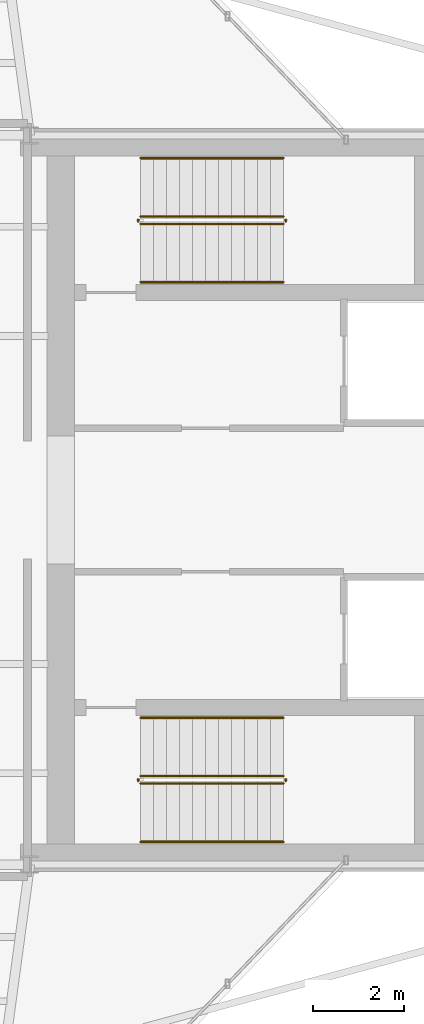
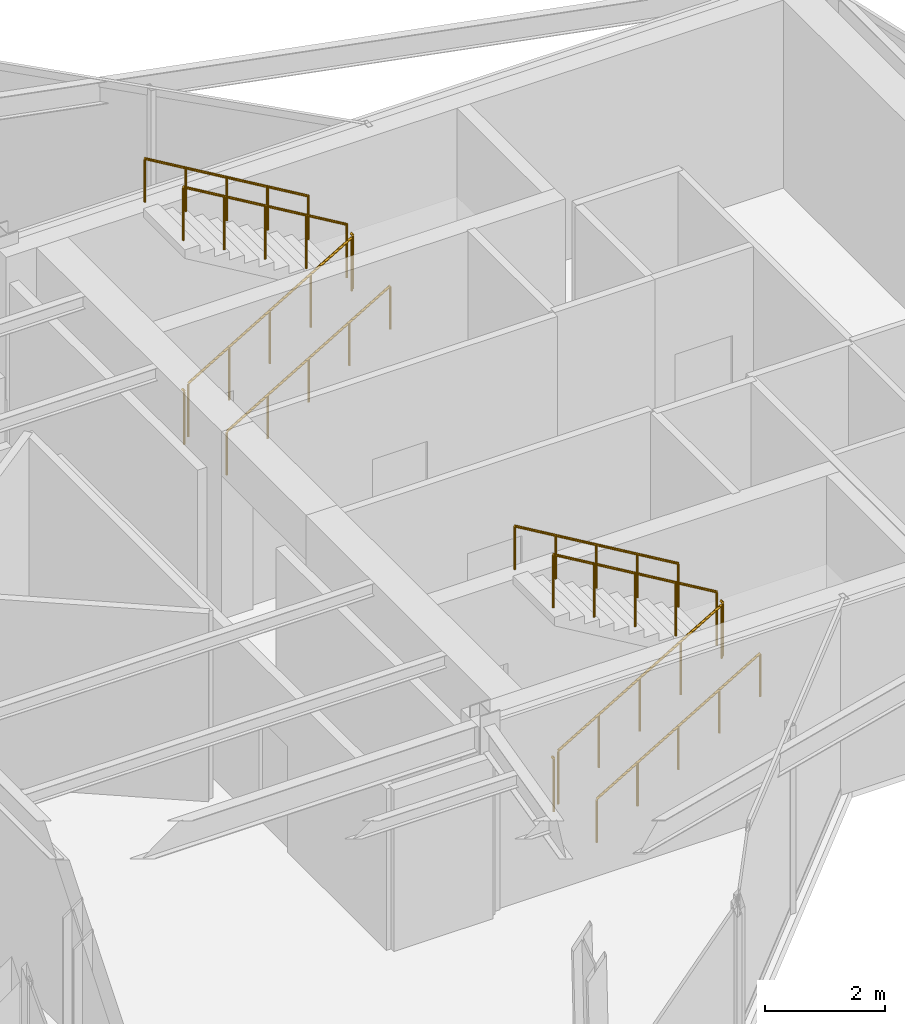
# One storey, part 14 of 14: 12 railings.
"""IFC4 building model written with IfcOpenShell, lengths in metres."""

import ifcopenshell
import ifcopenshell.guid

model = None  # the IFC model being written
_history = None  # IfcOwnerHistory: only IFC2X3 demands one
_inside = {}  # id of a spatial element -> (the spatial element, [elements in it])
_under = {}  # id of a project, library or spatial element -> (it, [spatial elements below it])
_declared = {}  # id of a project -> (the project, [libraries it declares])
_typed = {}  # id of a type object -> (the type object, [elements of that type])
_made_of = {}  # id of a material, layer set ... -> (it, [elements and type objects made of it])


def new_model(schema):
    """Start an empty IFC model of exactly this schema.

    Asked for "IFC4X3", IfcOpenShell would pick the latest addendum, in which some entities
    have other attributes; the version numbers below select the first issue.
    IFC2X3 requires an IfcOwnerHistory on every rooted entity: one is made here for all.
    """
    global model, _history
    if schema == "IFC4X3":
        model = ifcopenshell.file(schema_version=(4, 3, 0, 0))
    else:
        model = ifcopenshell.file(schema=schema)
    _inside.clear()
    _under.clear()
    _declared.clear()
    _typed.clear()
    _made_of.clear()
    _history = None
    if model.schema == "IFC2X3":
        org = make("IfcOrganization", Name="unknown")
        user = make(
            "IfcPersonAndOrganization",
            ThePerson=make("IfcPerson", FamilyName="unknown"),
            TheOrganization=org,
        )
        app = make(
            "IfcApplication",
            ApplicationDeveloper=org,
            Version="unknown",
            ApplicationFullName="unknown",
            ApplicationIdentifier="unknown",
        )
        _history = make(
            "IfcOwnerHistory",
            OwningUser=user,
            OwningApplication=app,
            ChangeAction="ADDED",
            CreationDate=0,
        )
    return model


def make(cls, **values):
    """One entity of the class cls with the attributes given. An attribute that is None is left unset."""
    return model.create_entity(
        cls, **{name: value for name, value in values.items() if value is not None}
    )


def rooted(cls, **values):
    """An entity with a GlobalId (a new one), such as an element, a storey or a relation."""
    return make(cls, GlobalId=ifcopenshell.guid.new(), OwnerHistory=_history, **values)


def si_unit(unit_type, name, prefix=None):
    """IfcSIUnit, for example si_unit("LENGTHUNIT", "METRE", prefix="MILLI")."""
    return make("IfcSIUnit", UnitType=unit_type, Prefix=prefix, Name=name)


def assignment(units):
    """IfcUnitAssignment: the units of a project."""
    return None if units is None else make("IfcUnitAssignment", Units=units)


def point(xyz):
    """IfcCartesianPoint."""
    return None if xyz is None else make("IfcCartesianPoint", Coordinates=xyz)


def direction(xyz):
    """IfcDirection."""
    return None if xyz is None else make("IfcDirection", DirectionRatios=xyz)


def frame(location, z_axis=None, x_axis=None):
    """IfcAxis2Placement3D, a coordinate frame: its origin and axes. An axis left out is left unset."""
    return make(
        "IfcAxis2Placement3D",
        Location=point(location),
        Axis=direction(z_axis),
        RefDirection=direction(x_axis),
    )


def frame_2d(location, x_axis=None):
    """IfcAxis2Placement2D, a coordinate frame in the plane: its origin and x axis."""
    return make(
        "IfcAxis2Placement2D", Location=point(location), RefDirection=direction(x_axis)
    )


def origin():
    """The frame at (0, 0, 0) with its axes left unset."""
    return frame((0.0, 0.0, 0.0))


def origin_2d():
    """The frame at (0, 0) in the plane with its x axis left unset."""
    return frame_2d((0.0, 0.0))


def place(relative_to, where):
    """IfcLocalPlacement: puts the frame where relative to a parent placement (None: the world)."""
    return make(
        "IfcLocalPlacement", PlacementRelTo=relative_to, RelativePlacement=where
    )


def context(
    kind, dimensions, precision=None, world=None, true_north=None, identifier=None
):
    """IfcGeometricRepresentationContext, for example the 3D "Model" context."""
    return make(
        "IfcGeometricRepresentationContext",
        ContextIdentifier=identifier,
        ContextType=kind,
        CoordinateSpaceDimension=dimensions,
        Precision=precision,
        WorldCoordinateSystem=world,
        TrueNorth=true_north,
    )


def subcontext(parent, identifier, kind, view, scale=None):
    """IfcGeometricRepresentationSubContext, for example "Body" below "Model"."""
    return make(
        "IfcGeometricRepresentationSubContext",
        ContextIdentifier=identifier,
        ContextType=kind,
        ParentContext=parent,
        TargetScale=scale,
        TargetView=view,
    )


def project(units=None, contexts=None):
    """IfcProject with its units and contexts."""
    return rooted(
        "IfcProject",
        Name="project",
        RepresentationContexts=contexts,
        UnitsInContext=assignment(units),
    )


def spatial(cls, under=None, at=None, **own):
    """A site, building, storey or space (cls), placed at a placement, below another one or the project."""
    s = rooted(cls, ObjectPlacement=at, **own)
    if under is not None:
        _under.setdefault(under.id(), (under, []))[1].append(s)
    return s


def profile(cls, at=None, kind="AREA", **sizes):
    """A parametric profile (cls). Its sizes go by their IFC names, for example OverallWidth=200.0."""
    return make(cls, ProfileType=kind, Position=at, **sizes)


def circle(**sizes):
    """IfcCircleProfileDef."""
    return profile("IfcCircleProfileDef", **sizes)


def extrude(swept, where, along, depth):
    """IfcExtrudedAreaSolid: the profile swept, set in the frame where, extruded along a direction by depth."""
    return make(
        "IfcExtrudedAreaSolid",
        SweptArea=swept,
        Position=where,
        ExtrudedDirection=direction(along),
        Depth=depth,
    )


def shape(context_of_items, identifier, shape_type, items):
    """IfcShapeRepresentation: the items that make up one representation, for example the "Body"."""
    return make(
        "IfcShapeRepresentation",
        ContextOfItems=context_of_items,
        RepresentationIdentifier=identifier,
        RepresentationType=shape_type,
        Items=items,
    )


def material(Name=None, Category=None):
    """IfcMaterial."""
    return make("IfcMaterial", Name=Name, Category=Category)


def made_of(thing, what):
    """Note that an element or type object is made of a material, layer set ...; save() writes the relation."""
    if what is not None:
        _made_of.setdefault(what.id(), (what, []))[1].append(thing)
    return thing


def type_object(cls, material=None, **own):
    """A type object (cls), such as IfcWallType, which elements share."""
    return made_of(rooted(cls, **own), material)


def element(
    cls,
    number,
    at=None,
    inside=None,
    cuts=None,
    type_object=None,
    material=None,
    context=None,
    identifier="Body",
    shape_type=None,
    held_by="IfcProductDefinitionShape",
    body=None,
    shapes=None,
    **own,
):
    """One element of the class cls, such as IfcWall. Its Tag is "e" and its number.

    at: its placement. inside: the storey or other place that contains it. cuts: it is an
    opening in that element (IfcRelVoidsElement). A single representation is given by context,
    identifier, shape_type and body (its items); several are given by shapes. held_by: the class
    of the entity that holds the representations. save() writes the other relations.
    """
    e = rooted(cls, Tag="e%d" % number, ObjectPlacement=at, **own)
    if body is not None:
        shapes = [shape(context, identifier, shape_type, body)]
    if shapes is not None:
        e.Representation = make(held_by, Representations=shapes)
    if inside is not None:
        _inside.setdefault(inside.id(), (inside, []))[1].append(e)
    if cuts is not None:
        rooted(
            "IfcRelVoidsElement", RelatingBuildingElement=cuts, RelatedOpeningElement=e
        )
    if type_object is not None:
        _typed.setdefault(type_object.id(), (type_object, []))[1].append(e)
    return made_of(e, material)


def aggregate(whole, parts):
    """IfcRelAggregates: a whole, such as a stair, and the parts it consists of."""
    return rooted("IfcRelAggregates", RelatingObject=whole, RelatedObjects=parts)


def save(model, path):
    """Write the relations noted so far, then the file.

    IfcRelAggregates (storeys below a building ...), IfcRelContainedInSpatialStructure (elements
    in a storey), IfcRelDefinesByType, IfcRelAssociatesMaterial and IfcRelDeclares: one each for
    every whole, place, type object, material and project.
    """
    for whole, parts in _under.values():
        aggregate(whole, parts)
    for where, things in _inside.values():
        rooted(
            "IfcRelContainedInSpatialStructure",
            RelatedElements=things,
            RelatingStructure=where,
        )
    for kind, things in _typed.values():
        rooted("IfcRelDefinesByType", RelatedObjects=things, RelatingType=kind)
    for what, things in _made_of.values():
        rooted("IfcRelAssociatesMaterial", RelatedObjects=things, RelatingMaterial=what)
    for by, libraries in _declared.values():
        rooted("IfcRelDeclares", RelatingContext=by, RelatedDefinitions=libraries)
    model.write(path)


model = new_model("IFC4")

# Units and contexts
model_context = context("Model", 3, precision=1e-05, world=origin(), true_north=direction((0.0, 1.0)))
body_context = subcontext(model_context, "Body", "Model", "MODEL_VIEW")
ifc_project = project(units=[si_unit("LENGTHUNIT", "METRE"), si_unit("AREAUNIT", "SQUARE_METRE"), si_unit("VOLUMEUNIT", "CUBIC_METRE"), si_unit("PLANEANGLEUNIT", "RADIAN"), si_unit("MASSUNIT", "GRAM", prefix="KILO")], contexts=[model_context])

# Site, building, storey
site_placement = place(None, origin())
site = spatial("IfcSite", under=ifc_project, at=site_placement, CompositionType="ELEMENT")
building_placement = place(site_placement, origin())
building = spatial("IfcBuilding", under=site, at=building_placement, Name="Veymaron Broadcast Tower", CompositionType="ELEMENT")
storey_placement = place(building_placement, frame((0.0, 0.0, 299.25)))
storey = spatial("IfcBuildingStorey", under=building, at=storey_placement, Name="L70", CompositionType="ELEMENT", Elevation=299.25)

# Railings
ifc_material_1 = material(Name="Brushed stainless steel AISI 304", Category="steel")
railing_type_1 = type_object("IfcRailingType", Name="RAIL-STAIR-HR", PredefinedType="HANDRAIL", material=ifc_material_1)
railing_1_placement = place(storey_placement, frame((41.429931640625, 28.780029296875, 0.168701171875)))
element("IfcRailing", 1, at=railing_1_placement, inside=storey, type_object=railing_type_1, Name="L70 ST1 stair handrail 1", PredefinedType="HANDRAIL", context=body_context, shape_type="SweptSolid", body=[
    extrude(circle(Radius=0.02392578125, at=origin_2d()), frame((0.0, 0.0, 0.8759765625), z_axis=(0.860481960309, 0.0, 0.509480908359), x_axis=(0.0, 1.0, 0.0)), (0.0, 0.0, 1.0), 3.643310546875),
    extrude(circle(Radius=0.02099609375, at=origin_2d()), origin(), (0.0, 0.0, 1.0), 0.851806640625),
    extrude(circle(Radius=0.02099609375, at=origin_2d()), frame((0.78369140625, 0.0, 0.464111328125)), (0.0, 0.0, 1.0), 0.851806640625),
    extrude(circle(Radius=0.02099609375, at=origin_2d()), frame((1.5673828125, 0.0, 0.92822265625)), (0.0, 0.0, 1.0), 0.851806640625),
    extrude(circle(Radius=0.02099609375, at=origin_2d()), frame((2.351318359375, 0.0, 1.39208984375)), (0.0, 0.0, 1.0), 0.851806640625),
    extrude(circle(Radius=0.02099609375, at=origin_2d()), frame((3.135009765625, 0.0, 1.856201171875)), (0.0, 0.0, 1.0), 0.851806640625),
])
railing_2_placement = place(storey_placement, frame((44.56494140625, 31.5, 2.19384765625)))
element("IfcRailing", 2, at=railing_2_placement, inside=storey, type_object=railing_type_1, Name="L70 ST1 stair handrail 2", PredefinedType="HANDRAIL", context=body_context, shape_type="SweptSolid", body=[
    extrude(circle(Radius=0.02392578125, at=origin_2d()), frame((0.0, 0.0, 0.8759765625), z_axis=(-0.860481960309, 0.0, 0.509480908359), x_axis=(0.0, -1.0, 0.0)), (0.0, 0.0, 1.0), 3.643310546875),
    extrude(circle(Radius=0.02099609375, at=origin_2d()), origin(), (0.0, 0.0, 1.0), 0.851806640625),
    extrude(circle(Radius=0.02099609375, at=origin_2d()), frame((-0.78369140625, 0.0, 0.464111328125)), (0.0, 0.0, 1.0), 0.851806640625),
    extrude(circle(Radius=0.02099609375, at=origin_2d()), frame((-1.5673828125, 0.0, 0.92822265625)), (0.0, 0.0, 1.0), 0.851806640625),
    extrude(circle(Radius=0.02099609375, at=origin_2d()), frame((-2.351318359375, 0.0, 1.39208984375)), (0.0, 0.0, 1.0), 0.851806640625),
    extrude(circle(Radius=0.02099609375, at=origin_2d()), frame((-3.135009765625, 0.0, 1.856201171875)), (0.0, 0.0, 1.0), 0.851806640625),
])
railing_3_placement = place(storey_placement, frame((41.429931640625, 16.5, 0.168701171875)))
element("IfcRailing", 3, at=railing_3_placement, inside=storey, type_object=railing_type_1, Name="L70 ST2 stair handrail 1", PredefinedType="HANDRAIL", context=body_context, shape_type="SweptSolid", body=[
    extrude(circle(Radius=0.02392578125, at=origin_2d()), frame((0.0, 0.0, 0.8759765625), z_axis=(0.860481960309, 0.0, 0.509480908359), x_axis=(0.0, 1.0, 0.0)), (0.0, 0.0, 1.0), 3.643310546875),
    extrude(circle(Radius=0.02099609375, at=origin_2d()), origin(), (0.0, 0.0, 1.0), 0.851806640625),
    extrude(circle(Radius=0.02099609375, at=origin_2d()), frame((0.78369140625, 0.0, 0.464111328125)), (0.0, 0.0, 1.0), 0.851806640625),
    extrude(circle(Radius=0.02099609375, at=origin_2d()), frame((1.5673828125, 0.0, 0.92822265625)), (0.0, 0.0, 1.0), 0.851806640625),
    extrude(circle(Radius=0.02099609375, at=origin_2d()), frame((2.351318359375, 0.0, 1.39208984375)), (0.0, 0.0, 1.0), 0.851806640625),
    extrude(circle(Radius=0.02099609375, at=origin_2d()), frame((3.135009765625, 0.0, 1.856201171875)), (0.0, 0.0, 1.0), 0.851806640625),
])
railing_4_placement = place(storey_placement, frame((44.56494140625, 19.219970703125, 2.19384765625)))
element("IfcRailing", 4, at=railing_4_placement, inside=storey, type_object=railing_type_1, Name="L70 ST2 stair handrail 2", PredefinedType="HANDRAIL", context=body_context, shape_type="SweptSolid", body=[
    extrude(circle(Radius=0.02392578125, at=origin_2d()), frame((0.0, 0.0, 0.8759765625), z_axis=(-0.860481960309, 0.0, 0.509480908359), x_axis=(0.0, -1.0, 0.0)), (0.0, 0.0, 1.0), 3.643310546875),
    extrude(circle(Radius=0.02099609375, at=origin_2d()), origin(), (0.0, 0.0, 1.0), 0.851806640625),
    extrude(circle(Radius=0.02099609375, at=origin_2d()), frame((-0.78369140625, 0.0, 0.464111328125)), (0.0, 0.0, 1.0), 0.851806640625),
    extrude(circle(Radius=0.02099609375, at=origin_2d()), frame((-1.5673828125, 0.0, 0.92822265625)), (0.0, 0.0, 1.0), 0.851806640625),
    extrude(circle(Radius=0.02099609375, at=origin_2d()), frame((-2.351318359375, 0.0, 1.39208984375)), (0.0, 0.0, 1.0), 0.851806640625),
    extrude(circle(Radius=0.02099609375, at=origin_2d()), frame((-3.135009765625, 0.0, 1.856201171875)), (0.0, 0.0, 1.0), 0.851806640625),
])
ifc_material_2 = material(Name="Painted galvanized steel balustrade", Category="steel")
railing_type_2 = type_object("IfcRailingType", Name="RAIL-WELL-GRD", PredefinedType="GUARDRAIL", material=ifc_material_2)
railing_5_placement = place(storey_placement, frame((41.429931640625, 30.06005859375, 0.168701171875)))
element("IfcRailing", 5, at=railing_5_placement, inside=storey, type_object=railing_type_2, Name="L70 ST1 stair guard 1", PredefinedType="GUARDRAIL", context=body_context, shape_type="SweptSolid", body=[
    extrude(circle(Radius=0.02392578125, at=origin_2d()), frame((0.0, 0.0, 1.076171875), z_axis=(0.860481960309, 0.0, 0.509480908359), x_axis=(0.0, 1.0, 0.0)), (0.0, 0.0, 1.0), 3.643310546875),
    extrude(circle(Radius=0.02099609375, at=origin_2d()), origin(), (0.0, 0.0, 1.0), 1.052001953125),
    extrude(circle(Radius=0.02099609375, at=origin_2d()), frame((0.78369140625, 0.0, 0.464111328125)), (0.0, 0.0, 1.0), 1.052001953125),
    extrude(circle(Radius=0.02099609375, at=origin_2d()), frame((1.5673828125, 0.0, 0.92822265625)), (0.0, 0.0, 1.0), 1.052001953125),
    extrude(circle(Radius=0.02099609375, at=origin_2d()), frame((2.351318359375, 0.0, 1.39208984375)), (0.0, 0.0, 1.0), 1.052001953125),
    extrude(circle(Radius=0.02099609375, at=origin_2d()), frame((3.135009765625, 0.0, 1.856201171875)), (0.0, 0.0, 1.0), 1.052001953125),
])
railing_6_placement = place(storey_placement, frame((44.614990234375, 30.110107421875, 2.02490234375)))
element("IfcRailing", 6, at=railing_6_placement, inside=storey, type_object=railing_type_2, Name="L70 ST1 stair guard 2", PredefinedType="GUARDRAIL", context=body_context, shape_type="SweptSolid", body=[
    extrude(circle(Radius=0.02392578125, at=origin_2d()), frame((0.0, 0.0, 1.076171875), z_axis=(0.0, 1.0, 0.0), x_axis=(-1.0, 0.0, 0.0)), (0.0, 0.0, 1.0), 0.059814453125),
    extrude(circle(Radius=0.02099609375, at=origin_2d()), origin(), (0.0, 0.0, 1.0), 1.052001953125),
])
railing_7_placement = place(storey_placement, frame((44.56494140625, 30.219970703125, 2.19384765625)))
element("IfcRailing", 7, at=railing_7_placement, inside=storey, type_object=railing_type_2, Name="L70 ST1 stair guard 3", PredefinedType="GUARDRAIL", context=body_context, shape_type="SweptSolid", body=[
    extrude(circle(Radius=0.02392578125, at=origin_2d()), frame((0.0, 0.0, 1.076171875), z_axis=(-0.860481960309, 0.0, 0.509480908359), x_axis=(0.0, -1.0, 0.0)), (0.0, 0.0, 1.0), 3.643310546875),
    extrude(circle(Radius=0.02099609375, at=origin_2d()), origin(), (0.0, 0.0, 1.0), 1.052001953125),
    extrude(circle(Radius=0.02099609375, at=origin_2d()), frame((-0.78369140625, 0.0, 0.464111328125)), (0.0, 0.0, 1.0), 1.052001953125),
    extrude(circle(Radius=0.02099609375, at=origin_2d()), frame((-1.5673828125, 0.0, 0.92822265625)), (0.0, 0.0, 1.0), 1.052001953125),
    extrude(circle(Radius=0.02099609375, at=origin_2d()), frame((-2.351318359375, 0.0, 1.39208984375)), (0.0, 0.0, 1.0), 1.052001953125),
    extrude(circle(Radius=0.02099609375, at=origin_2d()), frame((-3.135009765625, 0.0, 1.856201171875)), (0.0, 0.0, 1.0), 1.052001953125),
])
railing_8_placement = place(storey_placement, frame((41.3798828125, 30.110107421875, 0.0)))
element("IfcRailing", 8, at=railing_8_placement, inside=storey, type_object=railing_type_2, Name="L70 ST1 stair guard 4", PredefinedType="GUARDRAIL", context=body_context, shape_type="SweptSolid", body=[
    extrude(circle(Radius=0.02392578125, at=origin_2d()), frame((0.0, 0.0, 1.076171875), z_axis=(0.0, 1.0, 0.0), x_axis=(-1.0, 0.0, 0.0)), (0.0, 0.0, 1.0), 0.059814453125),
    extrude(circle(Radius=0.02099609375, at=origin_2d()), origin(), (0.0, 0.0, 1.0), 1.052001953125),
])
railing_9_placement = place(storey_placement, frame((41.429931640625, 17.780029296875, 0.168701171875)))
element("IfcRailing", 9, at=railing_9_placement, inside=storey, type_object=railing_type_2, Name="L70 ST2 stair guard 1", PredefinedType="GUARDRAIL", context=body_context, shape_type="SweptSolid", body=[
    extrude(circle(Radius=0.02392578125, at=origin_2d()), frame((0.0, 0.0, 1.076171875), z_axis=(0.860481960309, 0.0, 0.509480908359), x_axis=(0.0, 1.0, 0.0)), (0.0, 0.0, 1.0), 3.643310546875),
    extrude(circle(Radius=0.02099609375, at=origin_2d()), origin(), (0.0, 0.0, 1.0), 1.052001953125),
    extrude(circle(Radius=0.02099609375, at=origin_2d()), frame((0.78369140625, 0.0, 0.464111328125)), (0.0, 0.0, 1.0), 1.052001953125),
    extrude(circle(Radius=0.02099609375, at=origin_2d()), frame((1.5673828125, 0.0, 0.92822265625)), (0.0, 0.0, 1.0), 1.052001953125),
    extrude(circle(Radius=0.02099609375, at=origin_2d()), frame((2.351318359375, 0.0, 1.39208984375)), (0.0, 0.0, 1.0), 1.052001953125),
    extrude(circle(Radius=0.02099609375, at=origin_2d()), frame((3.135009765625, 0.0, 1.856201171875)), (0.0, 0.0, 1.0), 1.052001953125),
])
railing_10_placement = place(storey_placement, frame((44.614990234375, 17.830078125, 2.02490234375)))
element("IfcRailing", 10, at=railing_10_placement, inside=storey, type_object=railing_type_2, Name="L70 ST2 stair guard 2", PredefinedType="GUARDRAIL", context=body_context, shape_type="SweptSolid", body=[
    extrude(circle(Radius=0.02392578125, at=origin_2d()), frame((0.0, 0.0, 1.076171875), z_axis=(0.0, 1.0, 0.0), x_axis=(-1.0, 0.0, 0.0)), (0.0, 0.0, 1.0), 0.059814453125),
    extrude(circle(Radius=0.02099609375, at=origin_2d()), origin(), (0.0, 0.0, 1.0), 1.052001953125),
])
railing_11_placement = place(storey_placement, frame((44.56494140625, 17.93994140625, 2.19384765625)))
element("IfcRailing", 11, at=railing_11_placement, inside=storey, type_object=railing_type_2, Name="L70 ST2 stair guard 3", PredefinedType="GUARDRAIL", context=body_context, shape_type="SweptSolid", body=[
    extrude(circle(Radius=0.02392578125, at=origin_2d()), frame((0.0, 0.0, 1.076171875), z_axis=(-0.860481960309, 0.0, 0.509480908359), x_axis=(0.0, -1.0, 0.0)), (0.0, 0.0, 1.0), 3.643310546875),
    extrude(circle(Radius=0.02099609375, at=origin_2d()), origin(), (0.0, 0.0, 1.0), 1.052001953125),
    extrude(circle(Radius=0.02099609375, at=origin_2d()), frame((-0.78369140625, 0.0, 0.464111328125)), (0.0, 0.0, 1.0), 1.052001953125),
    extrude(circle(Radius=0.02099609375, at=origin_2d()), frame((-1.5673828125, 0.0, 0.92822265625)), (0.0, 0.0, 1.0), 1.052001953125),
    extrude(circle(Radius=0.02099609375, at=origin_2d()), frame((-2.351318359375, 0.0, 1.39208984375)), (0.0, 0.0, 1.0), 1.052001953125),
    extrude(circle(Radius=0.02099609375, at=origin_2d()), frame((-3.135009765625, 0.0, 1.856201171875)), (0.0, 0.0, 1.0), 1.052001953125),
])
railing_12_placement = place(storey_placement, frame((41.3798828125, 17.830078125, 0.0)))
element("IfcRailing", 12, at=railing_12_placement, inside=storey, type_object=railing_type_2, Name="L70 ST2 stair guard 4", PredefinedType="GUARDRAIL", context=body_context, shape_type="SweptSolid", body=[
    extrude(circle(Radius=0.02392578125, at=origin_2d()), frame((0.0, 0.0, 1.076171875), z_axis=(0.0, 1.0, 0.0), x_axis=(-1.0, 0.0, 0.0)), (0.0, 0.0, 1.0), 0.059814453125),
    extrude(circle(Radius=0.02099609375, at=origin_2d()), origin(), (0.0, 0.0, 1.0), 1.052001953125),
])

save(model, "model.ifc")
